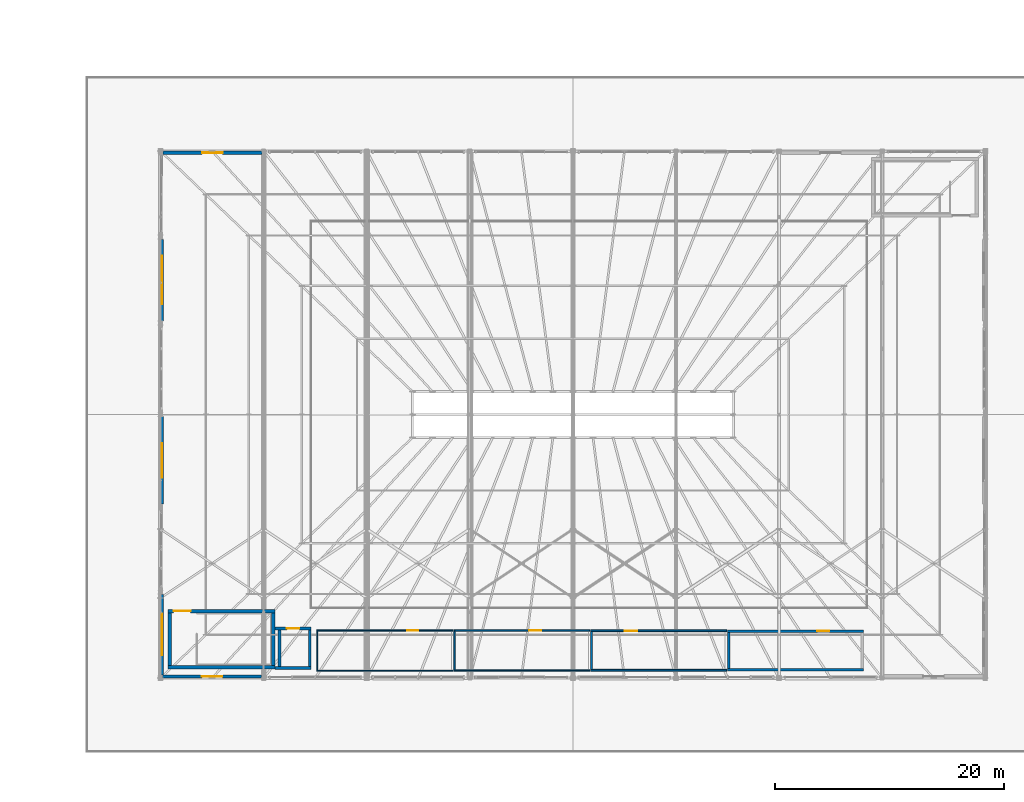
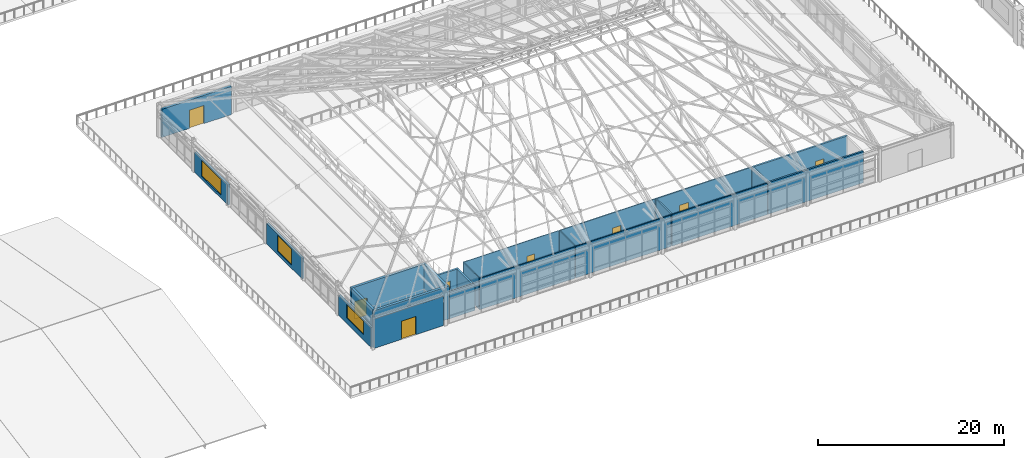
# One storey, part 150 of 168: 25 walls, 8 doors, 3 windows, 11 openings.
"""IFC4 building model written with IfcOpenShell, lengths in metres."""

from ifc_helpers import new_model, si_unit, direction, frame, frame_2d, origin, place, context, subcontext, project, spatial, rectangle, extrude, material, layer, layer_set, type_object, element, fill, save


model = new_model("IFC4")

# Units and contexts
model_context = context("Model", 3, precision=1e-05, world=origin(), true_north=direction((0.0, 1.0)))
body_context = subcontext(model_context, "Body", "Model", "MODEL_VIEW")
ifc_project = project(units=[si_unit("LENGTHUNIT", "METRE"), si_unit("AREAUNIT", "SQUARE_METRE"), si_unit("VOLUMEUNIT", "CUBIC_METRE"), si_unit("PLANEANGLEUNIT", "RADIAN"), si_unit("MASSUNIT", "GRAM", prefix="KILO"), si_unit("THERMODYNAMICTEMPERATUREUNIT", "KELVIN"), si_unit("POWERUNIT", "WATT")], contexts=[model_context])

# Site, building, storey
site_placement = place(None, origin())
site = spatial("IfcSite", under=ifc_project, at=site_placement, CompositionType="ELEMENT")
building_placement = place(site_placement, origin())
building = spatial("IfcBuilding", under=site, at=building_placement, Name="Tepalcoro Natatorium and Aquatics Centre", CompositionType="ELEMENT")
storey_placement = place(building_placement, frame((0.0, 0.0, 10.199951171875)))
storey = spatial("IfcBuildingStorey", under=building, at=storey_placement, Name="L02", CompositionType="ELEMENT", Elevation=10.199951171875)

# Wall, opening, window
ifc_material_1 = material(Name="Precast Concrete C45/55 (fc 45 MPa)", Category="concrete")
ifc_layer_1 = layer(ifc_material_1, 0.260009765625)
ifc_layer_set_1 = layer_set([ifc_layer_1], Name="Precast Concrete C45/55 (fc 45 MPa)")
wall_type_1 = type_object("IfcWallType", Name="WL_EXT_GABLE_260", PredefinedType="SOLIDWALL", material=ifc_layer_set_1)
wall_1_placement = place(storey_placement, frame((53.1298828125, 13.2890625, 0.0), z_axis=(0.0, 0.0, 1.0), x_axis=(0.0, 1.0, 0.0)))
wall_1 = element("IfcWall", 1, at=wall_1_placement, inside=storey, type_object=wall_type_1, Name="V1 L02 W Volcanic Basalt Envelope Wall", PredefinedType="SOLIDWALL", context=body_context, shape_type="SweptSolid", body=[
    extrude(rectangle(XDim=7.0205078125, YDim=0.260009765625, at=frame_2d((3.51025390625, 0.0))), origin(), (0.0, 0.0, 1.0), 2.6484375),
])
opening_1_placement = place(wall_1_placement, frame((1.710205078125, 0.0, 0.68896484375)))
opening_1 = element("IfcOpeningElement", 2, at=opening_1_placement, cuts=wall_1, Name="Opening W0015", PredefinedType="OPENING", context=body_context, shape_type="SweptSolid", body=[
    extrude(rectangle(XDim=3.60009765625, YDim=1.800048828125, at=frame_2d((1.800048828125, 0.89990234375))), frame((0.0, 0.14208984375, 0.0), z_axis=(0.0, -1.0, 0.0), x_axis=(1.0, 0.0, 0.0)), (0.0, 0.0, 1.0), 0.283935546875),
])
ifc_material_2 = material(Name="Solar-Control Bronze Tempered Low-E Double Glazing", Category="glass")
window_type_1 = type_object("IfcWindowType", Name="WN_360x180", PartitioningType="SINGLE_PANEL", PredefinedType="WINDOW", material=ifc_material_2)
window_1_placement = place(opening_1_placement, origin())
window_1 = element("IfcWindow", 3, at=window_1_placement, inside=storey, type_object=window_type_1, Name="Exterior Thermal Window WN_360x180", OverallHeight=1.800048828125, OverallWidth=3.60009765625, PartitioningType="SINGLE_PANEL", PredefinedType="WINDOW", context=body_context, shape_type="SweptSolid", body=[
    extrude(rectangle(XDim=3.60009765625, YDim=1.800048828125, at=frame_2d((1.800048828125, 0.89990234375))), frame((0.0, 0.030029296875, 0.0), z_axis=(0.0, -1.0, 0.0), x_axis=(1.0, 0.0, 0.0)), (0.0, 0.0, 1.0), 0.06005859375),
])
fill(opening_1, window_1)

wall_2_placement = place(storey_placement, frame((53.1298828125, 28.181884765625, 0.0), z_axis=(0.0, 0.0, 1.0), x_axis=(0.0, 1.0, 0.0)))
wall_2 = element("IfcWall", 4, at=wall_2_placement, inside=storey, type_object=wall_type_1, Name="V1 L02 W Volcanic Basalt Envelope Wall", PredefinedType="SOLIDWALL", context=body_context, shape_type="SweptSolid", body=[
    extrude(rectangle(XDim=7.63623046875, YDim=0.260009765625, at=frame_2d((3.818115234375, 0.0))), origin(), (0.0, 0.0, 1.0), 2.699951171875),
])
opening_2_placement = place(wall_2_placement, frame((2.318115234375, 0.0, 0.43994140625)))
opening_2 = element("IfcOpeningElement", 5, at=opening_2_placement, cuts=wall_2, Name="Opening W0016", PredefinedType="OPENING", context=body_context, shape_type="SweptSolid", body=[
    extrude(rectangle(XDim=3.0, YDim=2.10009765625, at=frame_2d((1.5, 1.050048828125))), frame((0.0, 0.14208984375, 0.0), z_axis=(0.0, -1.0, 0.0), x_axis=(1.0, 0.0, 0.0)), (0.0, 0.0, 1.0), 0.283935546875),
])
window_type_2 = type_object("IfcWindowType", Name="WN_300x210", PartitioningType="SINGLE_PANEL", PredefinedType="WINDOW", material=ifc_material_2)
window_2_placement = place(opening_2_placement, origin())
window_2 = element("IfcWindow", 6, at=window_2_placement, inside=storey, type_object=window_type_2, Name="Exterior Thermal Window WN_300x210", OverallHeight=2.10009765625, OverallWidth=3.0, PartitioningType="SINGLE_PANEL", PredefinedType="WINDOW", context=body_context, shape_type="SweptSolid", body=[
    extrude(rectangle(XDim=3.0, YDim=2.10009765625, at=frame_2d((1.5, 1.050048828125))), frame((0.0, 0.030029296875, 0.0), z_axis=(0.0, -1.0, 0.0), x_axis=(1.0, 0.0, 0.0)), (0.0, 0.0, 1.0), 0.06005859375),
])
fill(opening_2, window_2)

wall_3_placement = place(storey_placement, frame((53.1298828125, 44.18798828125, 0.0), z_axis=(0.0, 0.0, 1.0), x_axis=(0.0, 1.0, 0.0)))
wall_3 = element("IfcWall", 7, at=wall_3_placement, inside=storey, type_object=wall_type_1, Name="V1 L02 W Volcanic Basalt Envelope Wall", PredefinedType="SOLIDWALL", context=body_context, shape_type="SweptSolid", body=[
    extrude(rectangle(XDim=7.1201171875, YDim=0.260009765625, at=frame_2d((3.56005859375, 0.0))), origin(), (0.0, 0.0, 1.0), 2.654052734375),
])
opening_3_placement = place(wall_3_placement, frame((1.4599609375, 0.0, 0.39404296875)))
opening_3 = element("IfcOpeningElement", 8, at=opening_3_placement, cuts=wall_3, Name="Opening W0017", PredefinedType="OPENING", context=body_context, shape_type="SweptSolid", body=[
    extrude(rectangle(XDim=4.199951171875, YDim=2.10009765625, at=frame_2d((2.10009765625, 1.050048828125))), frame((0.0, 0.14208984375, 0.0), z_axis=(0.0, -1.0, 0.0), x_axis=(1.0, 0.0, 0.0)), (0.0, 0.0, 1.0), 0.283935546875),
])
window_type_3 = type_object("IfcWindowType", Name="WN_420x210", PartitioningType="SINGLE_PANEL", PredefinedType="WINDOW", material=ifc_material_2)
window_3_placement = place(opening_3_placement, origin())
window_3 = element("IfcWindow", 9, at=window_3_placement, inside=storey, type_object=window_type_3, Name="Exterior Thermal Window WN_420x210", OverallHeight=2.10009765625, OverallWidth=4.199951171875, PartitioningType="SINGLE_PANEL", PredefinedType="WINDOW", context=body_context, shape_type="SweptSolid", body=[
    extrude(rectangle(XDim=4.199951171875, YDim=2.10009765625, at=frame_2d((2.10009765625, 1.050048828125))), frame((0.0, 0.030029296875, 0.0), z_axis=(0.0, -1.0, 0.0), x_axis=(1.0, 0.0, 0.0)), (0.0, 0.0, 1.0), 0.06005859375),
])
fill(opening_3, window_3)

# Wall, opening, door
ifc_layer_2 = layer(ifc_material_1, 0.284912109375)
ifc_layer_set_2 = layer_set([ifc_layer_2], Name="Precast Concrete C45/55 (fc 45 MPa)")
wall_type_2 = type_object("IfcWallType", Name="WL_EXT_INSUL_280", PredefinedType="SOLIDWALL", material=ifc_layer_set_2)
wall_4_placement = place(storey_placement, frame((53.189453125, 13.142578125, 0.0), z_axis=(0.0, 0.0, 1.0), x_axis=(1.0, 0.0, 0.0)))
wall_4 = element("IfcWall", 10, at=wall_4_placement, inside=storey, type_object=wall_type_2, Name="V1 L02 S Volcanic Basalt Envelope Wall", PredefinedType="SOLIDWALL", context=body_context, shape_type="SweptSolid", body=[
    extrude(rectangle(XDim=8.62255859375, YDim=0.284912109375, at=frame_2d((4.311279296875, 0.0))), origin(), (0.0, 0.0, 1.0), 3.860107421875),
])
opening_4_placement = place(wall_4_placement, frame((3.4111328125, 0.0, 0.0)))
opening_4 = element("IfcOpeningElement", 11, at=opening_4_placement, cuts=wall_4, Name="Opening ED5017", PredefinedType="OPENING", context=body_context, shape_type="SweptSolid", body=[
    extrude(rectangle(XDim=1.800048828125, YDim=2.39990234375, at=frame_2d((0.89990234375, 1.199951171875))), frame((0.0, 0.154296875, 0.0), z_axis=(0.0, -1.0, 0.0), x_axis=(1.0, 0.0, 0.0)), (0.0, 0.0, 1.0), 0.308837890625),
])
ifc_material_3 = material(Name="Bronze-Anodised Extruded Aluminium Alloy EN AW-6063 T6", Category="aluminium")
door_type_1 = type_object("IfcDoorType", Name="DR_180x240_TERR", OperationType="NOTDEFINED", PredefinedType="DOOR", material=ifc_material_3)
door_1_placement = place(opening_4_placement, frame((1.800048828125, 0.0, 0.0), z_axis=(0.0, 0.0, 1.0), x_axis=(-1.0, 0.0, 0.0)))
door_1 = element("IfcDoor", 12, at=door_1_placement, inside=storey, type_object=door_type_1, Name="L02 South Upper Terrace Door W", OperationType="DOUBLE_DOOR_SINGLE_SWING", OverallHeight=2.39990234375, OverallWidth=1.800048828125, PredefinedType="DOOR", context=body_context, shape_type="SweptSolid", body=[
    extrude(rectangle(XDim=1.800048828125, YDim=2.39990234375, at=frame_2d((0.89990234375, 1.199951171875))), frame((0.0, 0.02490234375, 0.0), z_axis=(0.0, -1.0, 0.0), x_axis=(1.0, 0.0, 0.0)), (0.0, 0.0, 1.0), 0.050048828125),
])
fill(opening_4, door_1)

wall_5_placement = place(storey_placement, frame((53.20361328125, 58.857421875, 0.0), z_axis=(0.0, 0.0, 1.0), x_axis=(1.0, 0.0, 0.0)))
wall_5 = element("IfcWall", 13, at=wall_5_placement, inside=storey, type_object=wall_type_2, Name="V1 L02 N Volcanic Basalt Envelope Wall", PredefinedType="SOLIDWALL", context=body_context, shape_type="SweptSolid", body=[
    extrude(rectangle(XDim=8.638916015625, YDim=0.284912109375, at=frame_2d((4.3193359375, 0.0))), origin(), (0.0, 0.0, 1.0), 3.7080078125),
])
opening_5_placement = place(wall_5_placement, frame((3.41943359375, 0.0, 0.0)))
opening_5 = element("IfcOpeningElement", 14, at=opening_5_placement, cuts=wall_5, Name="Opening ED5019", PredefinedType="OPENING", context=body_context, shape_type="SweptSolid", body=[
    extrude(rectangle(XDim=1.800048828125, YDim=2.39990234375, at=frame_2d((0.89990234375, 1.199951171875))), frame((0.0, 0.154296875, 0.0), z_axis=(0.0, -1.0, 0.0), x_axis=(1.0, 0.0, 0.0)), (0.0, 0.0, 1.0), 0.308837890625),
])
door_2_placement = place(opening_5_placement, origin())
door_2 = element("IfcDoor", 15, at=door_2_placement, inside=storey, type_object=door_type_1, Name="L02 North Upper Terrace Door W", OperationType="DOUBLE_DOOR_SINGLE_SWING", OverallHeight=2.39990234375, OverallWidth=1.800048828125, PredefinedType="DOOR", context=body_context, shape_type="SweptSolid", body=[
    extrude(rectangle(XDim=1.800048828125, YDim=2.39990234375, at=frame_2d((0.89990234375, 1.199951171875))), frame((0.0, 0.02490234375, 0.0), z_axis=(0.0, -1.0, 0.0), x_axis=(1.0, 0.0, 0.0)), (0.0, 0.0, 1.0), 0.050048828125),
])
fill(opening_5, door_2)

# Wall
ifc_material_4 = material(Name="Moisture-Resistant Acoustic Gypsum Drywall on Cold-Formed Metal Studs")
ifc_layer_3 = layer(ifc_material_4, 0.10009765625)
ifc_layer_set_3 = layer_set([ifc_layer_3], Name="Moisture-Resistant Acoustic Gypsum Drywall on Cold-Formed Metal Studs")
wall_type_3 = type_object("IfcWallType", Name="WL_PART_100", PredefinedType="PARTITIONING", material=ifc_layer_set_3)
wall_6_placement = place(storey_placement, frame((66.639892578125, 13.64990234375, 0.0), z_axis=(0.0, 0.0, 1.0), x_axis=(1.0, 0.0, 0.0)))
element("IfcWall", 16, at=wall_6_placement, inside=storey, type_object=wall_type_3, Name="Host Broadcaster World-Feed Commentary Booths 1-4 Partition S", PredefinedType="PARTITIONING", context=body_context, shape_type="SweptSolid", body=[
    extrude(rectangle(XDim=11.8701171875, YDim=0.10009765625, at=frame_2d((5.93505859375, 0.0))), origin(), (0.0, 0.0, 1.0), 4.135009765625),
])

# Wall, opening, door
wall_7_placement = place(storey_placement, frame((66.639892578125, 17.14990234375, 0.0), z_axis=(0.0, 0.0, 1.0), x_axis=(1.0, 0.0, 0.0)))
wall_7 = element("IfcWall", 17, at=wall_7_placement, inside=storey, type_object=wall_type_3, Name="Host Broadcaster World-Feed Commentary Booths 1-4 Partition N", PredefinedType="PARTITIONING", context=body_context, shape_type="SweptSolid", body=[
    extrude(rectangle(XDim=11.8701171875, YDim=0.10009765625, at=frame_2d((5.93505859375, 0.0))), origin(), (0.0, 0.0, 1.0), 4.135009765625),
])
opening_6_placement = place(wall_7_placement, frame((7.9150390625, 0.0, 0.0)))
opening_6 = element("IfcOpeningElement", 18, at=opening_6_placement, cuts=wall_7, Name="Opening D0153", PredefinedType="OPENING", context=body_context, shape_type="SweptSolid", body=[
    extrude(rectangle(XDim=0.949951171875, YDim=2.14990234375, at=frame_2d((0.47509765625, 1.074951171875))), frame((0.0, 0.06201171875, 0.0), z_axis=(0.0, -1.0, 0.0), x_axis=(1.0, 0.0, 0.0)), (0.0, 0.0, 1.0), 0.1240234375),
])
ifc_material_5 = material(Name="Solid-Core Moisture-Sealed Oak Timber Leaf in Aluminium Frame", Category="wood")
door_type_2 = type_object("IfcDoorType", Name="DR_095x215_OFFICE", OperationType="NOTDEFINED", PredefinedType="DOOR", material=ifc_material_5)
door_3_placement = place(opening_6_placement, frame((0.949951171875, 0.0, 0.0), z_axis=(0.0, 0.0, 1.0), x_axis=(-1.0, 0.0, 0.0)))
door_3 = element("IfcDoor", 19, at=door_3_placement, inside=storey, type_object=door_type_2, Name="Host Broadcaster World-Feed Commentary Booths 1-4 Door", OperationType="SINGLE_SWING_LEFT", OverallHeight=2.14990234375, OverallWidth=0.949951171875, PredefinedType="DOOR", context=body_context, shape_type="SweptSolid", body=[
    extrude(rectangle(XDim=0.949951171875, YDim=2.14990234375, at=frame_2d((0.47509765625, 1.074951171875))), frame((0.0, 0.02490234375, 0.0), z_axis=(0.0, -1.0, 0.0), x_axis=(1.0, 0.0, 0.0)), (0.0, 0.0, 1.0), 0.050048828125),
])
fill(opening_6, door_3)

# Walls
wall_8_placement = place(storey_placement, frame((66.68994140625, 13.699951171875, 0.0), z_axis=(0.0, 0.0, 1.0), x_axis=(0.0, 1.0, 0.0)))
element("IfcWall", 20, at=wall_8_placement, inside=storey, type_object=wall_type_3, Name="Host Broadcaster World-Feed Commentary Booths 1-4 Partition W", PredefinedType="PARTITIONING", context=body_context, shape_type="SweptSolid", body=[
    extrude(rectangle(XDim=3.400146484375, YDim=0.10009765625, at=frame_2d((1.7001953125, 0.0))), origin(), (0.0, 0.0, 1.0), 4.135009765625),
])
ifc_layer_4 = layer(ifc_material_4, 0.125)
ifc_layer_set_4 = layer_set([ifc_layer_4], Name="Moisture-Resistant Acoustic Gypsum Drywall on Cold-Formed Metal Studs")
wall_type_4 = type_object("IfcWallType", Name="WL_PART_125", PredefinedType="PARTITIONING", material=ifc_layer_set_4)
wall_9_placement = place(storey_placement, frame((78.590087890625, 13.66259765625, 0.0), z_axis=(0.0, 0.0, 1.0), x_axis=(1.0, 0.0, 0.0)))
element("IfcWall", 21, at=wall_9_placement, inside=storey, type_object=wall_type_4, Name="Radio & International TV Commentary Booths 5-8 Partition S", PredefinedType="PARTITIONING", context=body_context, shape_type="SweptSolid", body=[
    extrude(rectangle(XDim=11.869873046875, YDim=0.125, at=frame_2d((5.93505859375, 0.0))), origin(), (0.0, 0.0, 1.0), 4.135009765625),
])

# Wall, opening, door
wall_10_placement = place(storey_placement, frame((78.590087890625, 17.137451171875, 0.0), z_axis=(0.0, 0.0, 1.0), x_axis=(1.0, 0.0, 0.0)))
wall_10 = element("IfcWall", 22, at=wall_10_placement, inside=storey, type_object=wall_type_4, Name="Radio & International TV Commentary Booths 5-8 Partition N", PredefinedType="PARTITIONING", context=body_context, shape_type="SweptSolid", body=[
    extrude(rectangle(XDim=11.869873046875, YDim=0.125, at=frame_2d((5.93505859375, 0.0))), origin(), (0.0, 0.0, 1.0), 4.135009765625),
])
opening_7_placement = place(wall_10_placement, frame((6.576416015625, 0.0, 0.0)))
opening_7 = element("IfcOpeningElement", 23, at=opening_7_placement, cuts=wall_10, Name="Opening D0154", PredefinedType="OPENING", context=body_context, shape_type="SweptSolid", body=[
    extrude(rectangle(XDim=1.050048828125, YDim=2.14990234375, at=frame_2d((0.52490234375, 1.074951171875))), frame((0.0, 0.074462890625, 0.0), z_axis=(0.0, -1.0, 0.0), x_axis=(1.0, 0.0, 0.0)), (0.0, 0.0, 1.0), 0.14892578125),
])
door_type_3 = type_object("IfcDoorType", Name="DR_105x215_ACC", OperationType="NOTDEFINED", PredefinedType="DOOR", material=ifc_material_5)
door_4_placement = place(opening_7_placement, frame((1.050048828125, 0.0, 0.0), z_axis=(0.0, 0.0, 1.0), x_axis=(-1.0, 0.0, 0.0)))
door_4 = element("IfcDoor", 24, at=door_4_placement, inside=storey, type_object=door_type_3, Name="Radio & International TV Commentary Booths 5-8 Door", OperationType="SINGLE_SWING_RIGHT", OverallHeight=2.14990234375, OverallWidth=1.050048828125, PredefinedType="DOOR", context=body_context, shape_type="SweptSolid", body=[
    extrude(rectangle(XDim=1.050048828125, YDim=2.14990234375, at=frame_2d((0.52490234375, 1.074951171875))), frame((0.0, 0.02490234375, 0.0), z_axis=(0.0, -1.0, 0.0), x_axis=(1.0, 0.0, 0.0)), (0.0, 0.0, 1.0), 0.050048828125),
])
fill(opening_7, door_4)

# Walls
wall_11_placement = place(storey_placement, frame((78.652587890625, 13.72509765625, 0.0), z_axis=(0.0, 0.0, 1.0), x_axis=(0.0, 1.0, 0.0)))
element("IfcWall", 25, at=wall_11_placement, inside=storey, type_object=wall_type_4, Name="Radio & International TV Commentary Booths 5-8 Partition W", PredefinedType="PARTITIONING", context=body_context, shape_type="SweptSolid", body=[
    extrude(rectangle(XDim=3.349853515625, YDim=0.125, at=frame_2d((1.6748046875, 0.0))), origin(), (0.0, 0.0, 1.0), 4.135009765625),
])
ifc_layer_5 = layer(ifc_material_4, 0.14990234375)
ifc_layer_set_5 = layer_set([ifc_layer_5], Name="Moisture-Resistant Acoustic Gypsum Drywall on Cold-Formed Metal Studs")
wall_type_5 = type_object("IfcWallType", Name="WL_PART_150_AC", PredefinedType="PARTITIONING", material=ifc_layer_set_5)
wall_12_placement = place(storey_placement, frame((90.5400390625, 13.675048828125, 0.0), z_axis=(0.0, 0.0, 1.0), x_axis=(1.0, 0.0, 0.0)))
element("IfcWall", 26, at=wall_12_placement, inside=storey, type_object=wall_type_5, Name="Natatorium Bowl Sound, Scoreboard & Sports-Lighting Control Partition S", PredefinedType="PARTITIONING", context=body_context, shape_type="SweptSolid", body=[
    extrude(rectangle(XDim=11.869873046875, YDim=0.14990234375, at=frame_2d((5.93505859375, 0.0))), origin(), (0.0, 0.0, 1.0), 4.135009765625),
])

# Wall, opening, door
wall_13_placement = place(storey_placement, frame((90.5400390625, 17.125, 0.0), z_axis=(0.0, 0.0, 1.0), x_axis=(1.0, 0.0, 0.0)))
wall_13 = element("IfcWall", 27, at=wall_13_placement, inside=storey, type_object=wall_type_5, Name="Natatorium Bowl Sound, Scoreboard & Sports-Lighting Control Partition N", PredefinedType="PARTITIONING", context=body_context, shape_type="SweptSolid", body=[
    extrude(rectangle(XDim=11.869873046875, YDim=0.14990234375, at=frame_2d((5.93505859375, 0.0))), origin(), (0.0, 0.0, 1.0), 4.135009765625),
])
opening_8_placement = place(wall_13_placement, frame((2.967529296875, 0.0, 0.0)))
opening_8 = element("IfcOpeningElement", 28, at=opening_8_placement, cuts=wall_13, Name="Opening D0155", PredefinedType="OPENING", context=body_context, shape_type="SweptSolid", body=[
    extrude(rectangle(XDim=1.10009765625, YDim=2.25, at=frame_2d((0.550048828125, 1.125))), frame((0.0, 0.0869140625, 0.0), z_axis=(0.0, -1.0, 0.0), x_axis=(1.0, 0.0, 0.0)), (0.0, 0.0, 1.0), 0.173828125),
])
door_type_4 = type_object("IfcDoorType", Name="DR_110x225", OperationType="NOTDEFINED", PredefinedType="DOOR", material=ifc_material_5)
door_5_placement = place(opening_8_placement, frame((1.10009765625, 0.0, 0.0), z_axis=(0.0, 0.0, 1.0), x_axis=(-1.0, 0.0, 0.0)))
door_5 = element("IfcDoor", 29, at=door_5_placement, inside=storey, type_object=door_type_4, Name="Natatorium Bowl Sound, Scoreboard & Sports-Lighting Control Door", OperationType="SINGLE_SWING_LEFT", OverallHeight=2.25, OverallWidth=1.10009765625, PredefinedType="DOOR", context=body_context, shape_type="SweptSolid", body=[
    extrude(rectangle(XDim=1.10009765625, YDim=2.25, at=frame_2d((0.550048828125, 1.125))), frame((0.0, 0.02490234375, 0.0), z_axis=(0.0, -1.0, 0.0), x_axis=(1.0, 0.0, 0.0)), (0.0, 0.0, 1.0), 0.050048828125),
])
fill(opening_8, door_5)

# Walls
wall_14_placement = place(storey_placement, frame((90.614990234375, 13.75, 0.0), z_axis=(0.0, 0.0, 1.0), x_axis=(0.0, 1.0, 0.0)))
element("IfcWall", 30, at=wall_14_placement, inside=storey, type_object=wall_type_5, Name="Natatorium Bowl Sound, Scoreboard & Sports-Lighting Control Partition W", PredefinedType="PARTITIONING", context=body_context, shape_type="SweptSolid", body=[
    extrude(rectangle(XDim=3.300048828125, YDim=0.14990234375, at=frame_2d((1.64990234375, 0.0))), origin(), (0.0, 0.0, 1.0), 4.135009765625),
])
ifc_material_6 = material(Name="Ceramic-Tiled Moisture-Resistant Masonry Blockwork", Category="masonry")
ifc_layer_6 = layer(ifc_material_6, 0.219970703125)
ifc_layer_set_6 = layer_set([ifc_layer_6], Name="Ceramic-Tiled Moisture-Resistant Masonry Blockwork")
wall_type_6 = type_object("IfcWallType", Name="WL_PLUMB_220", PredefinedType="PLUMBINGWALL", material=ifc_layer_set_6)
wall_15_placement = place(storey_placement, frame((102.489990234375, 13.7099609375, 0.0), z_axis=(0.0, 0.0, 1.0), x_axis=(1.0, 0.0, 0.0)))
element("IfcWall", 31, at=wall_15_placement, inside=storey, type_object=wall_type_6, Name="L02 Catwalk Broadcast Staff & Accessible WC Partition S", PredefinedType="PLUMBINGWALL", context=body_context, shape_type="SweptSolid", body=[
    extrude(rectangle(XDim=11.8701171875, YDim=0.219970703125, at=frame_2d((5.93505859375, 0.0))), origin(), (0.0, 0.0, 1.0), 4.135009765625),
])

# Wall, opening, door
wall_16_placement = place(storey_placement, frame((102.489990234375, 17.090087890625, 0.0), z_axis=(0.0, 0.0, 1.0), x_axis=(1.0, 0.0, 0.0)))
wall_16 = element("IfcWall", 32, at=wall_16_placement, inside=storey, type_object=wall_type_6, Name="L02 Catwalk Broadcast Staff & Accessible WC Partition N", PredefinedType="PLUMBINGWALL", context=body_context, shape_type="SweptSolid", body=[
    extrude(rectangle(XDim=11.8701171875, YDim=0.219970703125, at=frame_2d((5.93505859375, 0.0))), origin(), (0.0, 0.0, 1.0), 4.135009765625),
])
opening_9_placement = place(wall_16_placement, frame((7.840087890625, 0.0, 0.0)))
opening_9 = element("IfcOpeningElement", 33, at=opening_9_placement, cuts=wall_16, Name="Opening D0156", PredefinedType="OPENING", context=body_context, shape_type="SweptSolid", body=[
    extrude(rectangle(XDim=1.050048828125, YDim=2.14990234375, at=frame_2d((0.52490234375, 1.074951171875))), frame((0.0, 0.1220703125, 0.0), z_axis=(0.0, -1.0, 0.0), x_axis=(1.0, 0.0, 0.0)), (0.0, 0.0, 1.0), 0.243896484375),
])
door_6_placement = place(opening_9_placement, frame((1.050048828125, 0.0, 0.0), z_axis=(0.0, 0.0, 1.0), x_axis=(-1.0, 0.0, 0.0)))
door_6 = element("IfcDoor", 34, at=door_6_placement, inside=storey, type_object=door_type_3, Name="L02 Catwalk Broadcast Staff & Accessible WC Door", OperationType="SINGLE_SWING_RIGHT", OverallHeight=2.14990234375, OverallWidth=1.050048828125, PredefinedType="DOOR", context=body_context, shape_type="SweptSolid", body=[
    extrude(rectangle(XDim=1.050048828125, YDim=2.14990234375, at=frame_2d((0.52490234375, 1.074951171875))), frame((0.0, 0.02490234375, 0.0), z_axis=(0.0, -1.0, 0.0), x_axis=(1.0, 0.0, 0.0)), (0.0, 0.0, 1.0), 0.050048828125),
])
fill(opening_9, door_6)

# Walls
wall_17_placement = place(storey_placement, frame((102.60009765625, 13.820068359375, 0.0), z_axis=(0.0, 0.0, 1.0), x_axis=(0.0, 1.0, 0.0)))
element("IfcWall", 35, at=wall_17_placement, inside=storey, type_object=wall_type_6, Name="L02 Catwalk Broadcast Staff & Accessible WC Partition W", PredefinedType="PLUMBINGWALL", context=body_context, shape_type="SweptSolid", body=[
    extrude(rectangle(XDim=3.159912109375, YDim=0.219970703125, at=frame_2d((1.580078125, 0.0))), origin(), (0.0, 0.0, 1.0), 4.135009765625),
])
ifc_material_7 = material(Name="Concrete C40/50 (fc 40 MPa)", Category="concrete")
ifc_layer_7 = layer(ifc_material_7, 0.239990234375)
ifc_layer_set_7 = layer_set([ifc_layer_7], Name="Concrete C40/50 (fc 40 MPa)")
wall_type_7 = type_object("IfcWallType", Name="WL_SHAFT_240", PredefinedType="SOLIDWALL", material=ifc_layer_set_7)
wall_18_placement = place(storey_placement, frame((63.0, 13.8798828125, 0.0), z_axis=(0.0, 0.0, 1.0), x_axis=(1.0, 0.0, 0.0)))
element("IfcWall", 36, at=wall_18_placement, inside=storey, type_object=wall_type_7, Name="LF01 Lift Shaft Wall S L02", PredefinedType="SOLIDWALL", context=body_context, shape_type="SweptSolid", body=[
    extrude(rectangle(XDim=3.139892578125, YDim=0.239990234375, at=frame_2d((1.56982421875, 0.0))), origin(), (0.0, 0.0, 1.0), 3.449951171875),
])

# Wall, opening, door
wall_19_placement = place(storey_placement, frame((63.0, 17.320068359375, 0.0), z_axis=(0.0, 0.0, 1.0), x_axis=(1.0, 0.0, 0.0)))
wall_19 = element("IfcWall", 37, at=wall_19_placement, inside=storey, type_object=wall_type_7, Name="LF01 Lift Shaft Wall N L02", PredefinedType="SOLIDWALL", context=body_context, shape_type="SweptSolid", body=[
    extrude(rectangle(XDim=3.139892578125, YDim=0.239990234375, at=frame_2d((1.56982421875, 0.0))), origin(), (0.0, 0.0, 1.0), 3.449951171875),
])
opening_10_placement = place(wall_19_placement, frame((1.02001953125, 0.0, 0.0)))
opening_10 = element("IfcOpeningElement", 38, at=opening_10_placement, cuts=wall_19, Name="Opening LD-LF01-L02", PredefinedType="OPENING", context=body_context, shape_type="SweptSolid", body=[
    extrude(rectangle(XDim=1.10009765625, YDim=2.14990234375, at=frame_2d((0.550048828125, 1.074951171875))), frame((0.0, 0.1318359375, 0.0), z_axis=(0.0, -1.0, 0.0), x_axis=(1.0, 0.0, 0.0)), (0.0, 0.0, 1.0), 0.263916015625),
])
ifc_material_8 = material(Name="Marine-Grade Brushed Stainless Steel AISI 316L", Category="steel")
door_type_5 = type_object("IfcDoorType", Name="DR_110x215_LIFT", OperationType="NOTDEFINED", PredefinedType="USERDEFINED", material=ifc_material_8)
door_7_placement = place(opening_10_placement, origin())
door_7 = element("IfcDoor", 39, at=door_7_placement, inside=storey, type_object=door_type_5, Name="LF01 Lift Landing Sliding Door (L02)", ObjectType="SLIDING LANDING DOOR", OperationType="SLIDING_TO_RIGHT", OverallHeight=2.14990234375, OverallWidth=1.10009765625, PredefinedType="USERDEFINED", context=body_context, shape_type="SweptSolid", body=[
    extrude(rectangle(XDim=1.10009765625, YDim=2.14990234375, at=frame_2d((0.550048828125, 1.074951171875))), frame((0.0, 0.02490234375, 0.0), z_axis=(0.0, -1.0, 0.0), x_axis=(1.0, 0.0, 0.0)), (0.0, 0.0, 1.0), 0.050048828125),
])
fill(opening_10, door_7)

# Walls
for number, where, z_axis, x_axis, name in (
    (40, (63.3798828125, 14.0, 0.0), (0.0, 0.0, 1.0), (0.0, 1.0, 0.0), "LF01 Lift Shaft Wall W L02"),
    (41, (66.02001953125, 14.0, 0.0), (0.0, 0.0, 1.0), (0.0, 1.0, 0.0), "LF01 Lift Shaft Wall E L02"),
):
    element("IfcWall", number, at=place(storey_placement, frame(where, z_axis=z_axis, x_axis=x_axis)), inside=storey, type_object=wall_type_7, Name=name, PredefinedType="SOLIDWALL", context=body_context, shape_type="SweptSolid", body=[
        extrude(rectangle(XDim=3.199951171875, YDim=0.239990234375, at=frame_2d((1.60009765625, 0.0))), origin(), (0.0, 0.0, 1.0), 3.449951171875),
    ])
ifc_layer_8 = layer(ifc_material_7, 0.300048828125)
ifc_layer_set_8 = layer_set([ifc_layer_8], Name="Concrete C40/50 (fc 40 MPa)")
wall_type_8 = type_object("IfcWallType", Name="WL_SHEAR_300", PredefinedType="SHEAR", material=ifc_layer_set_8)
wall_20_placement = place(storey_placement, frame((53.64990234375, 13.949951171875, 0.0), z_axis=(0.0, 0.0, 1.0), x_axis=(1.0, 0.0, 0.0)))
element("IfcWall", 42, at=wall_20_placement, inside=storey, type_object=wall_type_8, Name="ST01 Core Shear Wall S L02", PredefinedType="SHEAR", context=body_context, shape_type="SweptSolid", body=[
    extrude(rectangle(XDim=9.35009765625, YDim=0.300048828125, at=frame_2d((4.675048828125, 0.0))), origin(), (0.0, 0.0, 1.0), 4.300048828125),
])

# Wall, opening, door
wall_21_placement = place(storey_placement, frame((53.64990234375, 18.85009765625, 0.0), z_axis=(0.0, 0.0, 1.0), x_axis=(1.0, 0.0, 0.0)))
wall_21 = element("IfcWall", 43, at=wall_21_placement, inside=storey, type_object=wall_type_8, Name="ST01 Core Shear Wall N L02", PredefinedType="SHEAR", context=body_context, shape_type="SweptSolid", body=[
    extrude(rectangle(XDim=9.35009765625, YDim=0.300048828125, at=frame_2d((4.675048828125, 0.0))), origin(), (0.0, 0.0, 1.0), 4.300048828125),
])
opening_11_placement = place(wall_21_placement, frame((0.47998046875, 0.0, 0.0)))
opening_11 = element("IfcOpeningElement", 44, at=opening_11_placement, cuts=wall_21, Name="Opening D0005", PredefinedType="OPENING", context=body_context, shape_type="SweptSolid", body=[
    extrude(rectangle(XDim=1.5, YDim=2.300048828125, at=frame_2d((0.75, 1.14990234375))), frame((0.0, 0.162109375, 0.0), z_axis=(0.0, -1.0, 0.0), x_axis=(1.0, 0.0, 0.0)), (0.0, 0.0, 1.0), 0.323974609375),
])
ifc_material_9 = material(Name="Galvanised Steel Insulated Acoustic Fire Door Assembly", Category="steel")
door_type_6 = type_object("IfcDoorType", Name="DR_150x230_FD60", OperationType="NOTDEFINED", PredefinedType="DOOR", material=ifc_material_9)
door_8_placement = place(opening_11_placement, frame((1.5, 0.0, 0.0), z_axis=(0.0, 0.0, 1.0), x_axis=(-1.0, 0.0, 0.0)))
door_8 = element("IfcDoor", 45, at=door_8_placement, inside=storey, type_object=door_type_6, Name="ST01 Fire Stair Door (L02)", OperationType="DOUBLE_DOOR_SINGLE_SWING", OverallHeight=2.300048828125, OverallWidth=1.5, PredefinedType="DOOR", context=body_context, shape_type="SweptSolid", body=[
    extrude(rectangle(XDim=1.5, YDim=2.300048828125, at=frame_2d((0.75, 1.14990234375))), frame((0.0, 0.02490234375, 0.0), z_axis=(0.0, -1.0, 0.0), x_axis=(1.0, 0.0, 0.0)), (0.0, 0.0, 1.0), 0.050048828125),
])
fill(opening_11, door_8)

# Walls
for number, where, z_axis, x_axis, name in (
    (46, (53.800048828125, 14.10009765625, 0.0), (0.0, 0.0, 1.0), (0.0, 1.0, 0.0), "ST01 Core Shear Wall W L02"),
    (47, (62.85009765625, 14.10009765625, 0.0), (0.0, 0.0, 1.0), (0.0, 1.0, 0.0), "ST01 Core Shear Wall E L02"),
):
    element("IfcWall", number, at=place(storey_placement, frame(where, z_axis=z_axis, x_axis=x_axis)), inside=storey, type_object=wall_type_8, Name=name, PredefinedType="SHEAR", context=body_context, shape_type="SweptSolid", body=[
        extrude(rectangle(XDim=4.599853515625, YDim=0.300048828125, at=frame_2d((2.2998046875, 0.0))), origin(), (0.0, 0.0, 1.0), 4.300048828125),
    ])

save(model, "model.ifc")
